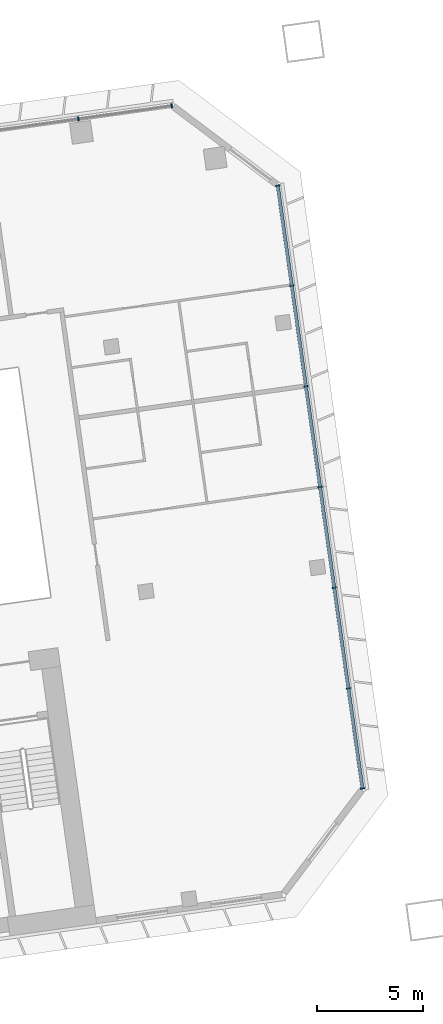
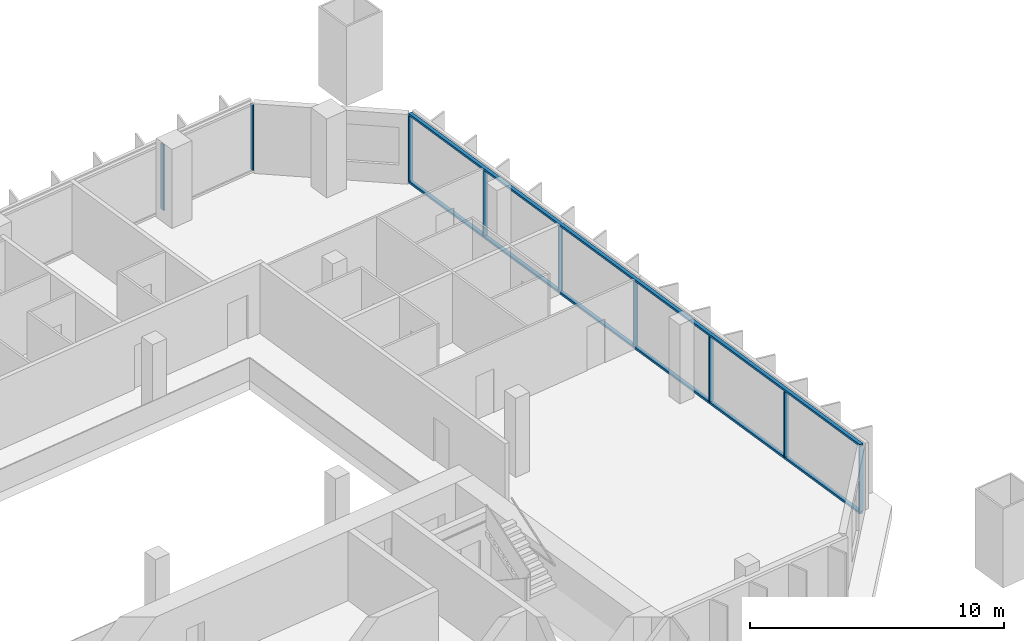
# One storey, part 11 of 25: 11 members, 2 elements without a shape of their own.
"""IFC4 building model written with IfcOpenShell, lengths in metres."""

from ifc_helpers import new_model, si_unit, direction, frame, origin, origin_2d, place, context, subcontext, project, spatial, rectangle, extrude, material, material_profile, profile_set, type_object, element, aggregate, save


model = new_model("IFC4")

# Units and contexts
model_context = context("Model", 3, precision=1e-05, world=origin(), true_north=direction((0.0, 1.0)))
body_context = subcontext(model_context, "Body", "Model", "MODEL_VIEW")
ifc_project = project(units=[si_unit("LENGTHUNIT", "METRE"), si_unit("AREAUNIT", "SQUARE_METRE"), si_unit("VOLUMEUNIT", "CUBIC_METRE"), si_unit("PLANEANGLEUNIT", "RADIAN"), si_unit("MASSUNIT", "GRAM", prefix="KILO")], contexts=[model_context])

# Site, building, storey
site_placement = place(None, origin())
site = spatial("IfcSite", under=ifc_project, at=site_placement, CompositionType="ELEMENT")
building_placement = place(site_placement, origin())
building = spatial("IfcBuilding", under=site, at=building_placement, Name="Mirante Cascada Hotel Towers", CompositionType="ELEMENT")
storey_placement = place(building_placement, frame((0.0, 0.0, 54.7)))
storey = spatial("IfcBuildingStorey", under=building, at=storey_placement, Name="L10", CompositionType="ELEMENT", Elevation=54.7)

# Curtain wall, members
ifc_material_1 = material(Name="Aluminium mullion and transom frame with clear laminated glass", Category="aluminium")
curtain_wall_type_1 = type_object("IfcCurtainWallType", Name="Ribbon curtain wall ECW1", PredefinedType="NOTDEFINED", material=ifc_material_1)
curtain_wall_1_placement = place(storey_placement, origin())
curtain_wall_1 = element("IfcCurtainWall", 1, at=curtain_wall_1_placement, inside=storey, type_object=curtain_wall_type_1, Name="Front ribbon wall T2 L10", PredefinedType="NOTDEFINED")
ifc_material_2 = material(Name="Anodised aluminium extrusion", Category="aluminium")
ifc_material_profile_1 = material_profile(ifc_material_2, rectangle(XDim=0.2, YDim=0.065, at=origin_2d()), Name="ECW1 MULLION 65x200")
ifc_profile_set_1 = profile_set([ifc_material_profile_1], Name="Anodised aluminium extrusion")
member_type_1 = type_object("IfcMemberType", Name="ECW1 mullion 65x200", PredefinedType="MULLION", material=ifc_profile_set_1)
member_1_placement = place(storey_placement, frame((94.126, 26.0476, 0.1), z_axis=(0.0, 0.0, 1.0), x_axis=(0.1391731, -0.9902681, 0.0)))
member_1 = element("IfcMember", 2, at=member_1_placement, type_object=member_type_1, Name="ECW1 mullion 1", PredefinedType="MULLION", context=body_context, shape_type="SweptSolid", body=[
    extrude(rectangle(XDim=0.2, YDim=0.065, at=origin_2d()), origin(), (0.0, 0.0, 1.0), 3.15),
])
member_2_placement = place(storey_placement, frame((89.7107, 25.427, 0.1), z_axis=(0.0, 0.0, 1.0), x_axis=(0.1391731, -0.9902681, 0.0)))
member_2 = element("IfcMember", 3, at=member_2_placement, type_object=member_type_1, Name="ECW1 mullion 2", PredefinedType="MULLION", context=body_context, shape_type="SweptSolid", body=[
    extrude(rectangle(XDim=0.2, YDim=0.065, at=origin_2d()), origin(), (0.0, 0.0, 1.0), 3.15),
])
aggregate(curtain_wall_1, [member_1, member_2])

ifc_material_3 = material(Name="Aluminium mullion and transom frame with clear laminated glass", Category="aluminium")
curtain_wall_type_2 = type_object("IfcCurtainWallType", Name="End ribbon curtain wall ECW2", PredefinedType="NOTDEFINED", material=ifc_material_3)
curtain_wall_2_placement = place(storey_placement, origin())
curtain_wall_2 = element("IfcCurtainWall", 4, at=curtain_wall_2_placement, inside=storey, type_object=curtain_wall_type_2, Name="Outer end wall T2 L10", PredefinedType="NOTDEFINED")
ifc_material_4 = material(Name="Anodised aluminium extrusion", Category="aluminium")
ifc_material_profile_2 = material_profile(ifc_material_4, rectangle(XDim=0.2, YDim=0.065, at=origin_2d()), Name="ECW2 MULLION 65x200")
ifc_profile_set_2 = profile_set([ifc_material_profile_2], Name="Anodised aluminium extrusion")
member_type_2 = type_object("IfcMemberType", Name="ECW2 mullion 65x200", PredefinedType="MULLION", material=ifc_profile_set_2)
member_3_placement = place(storey_placement, frame((103.1556, -6.2656, 0.1), z_axis=(0.0, 0.0, 1.0), x_axis=(-0.9902681, -0.1391731, 0.0)))
member_3 = element("IfcMember", 5, at=member_3_placement, type_object=member_type_2, Name="ECW2 mullion 1", PredefinedType="MULLION", context=body_context, shape_type="SweptSolid", body=[
    extrude(rectangle(XDim=0.2, YDim=0.065, at=origin_2d()), origin(), (0.0, 0.0, 1.0), 3.15),
])
member_4_placement = place(storey_placement, frame((102.4903, -1.532, 0.1), z_axis=(0.0, 0.0, 1.0), x_axis=(-0.9902681, -0.1391731, 0.0)))
member_4 = element("IfcMember", 6, at=member_4_placement, type_object=member_type_2, Name="ECW2 mullion 2", PredefinedType="MULLION", context=body_context, shape_type="SweptSolid", body=[
    extrude(rectangle(XDim=0.2, YDim=0.065, at=origin_2d()), origin(), (0.0, 0.0, 1.0), 3.15),
])
member_5_placement = place(storey_placement, frame((101.8205, 3.2338, 0.1), z_axis=(0.0, 0.0, 1.0), x_axis=(-0.9902681, -0.1391731, 0.0)))
member_5 = element("IfcMember", 7, at=member_5_placement, type_object=member_type_2, Name="ECW2 mullion 3", PredefinedType="MULLION", context=body_context, shape_type="SweptSolid", body=[
    extrude(rectangle(XDim=0.2, YDim=0.065, at=origin_2d()), origin(), (0.0, 0.0, 1.0), 3.15),
])
member_6_placement = place(storey_placement, frame((101.1508, 7.9996, 0.1), z_axis=(0.0, 0.0, 1.0), x_axis=(-0.9902681, -0.1391731, 0.0)))
member_6 = element("IfcMember", 8, at=member_6_placement, type_object=member_type_2, Name="ECW2 mullion 4", PredefinedType="MULLION", context=body_context, shape_type="SweptSolid", body=[
    extrude(rectangle(XDim=0.2, YDim=0.065, at=origin_2d()), origin(), (0.0, 0.0, 1.0), 3.15),
])
member_7_placement = place(storey_placement, frame((100.481, 12.7654, 0.1), z_axis=(0.0, 0.0, 1.0), x_axis=(-0.9902681, -0.1391731, 0.0)))
member_7 = element("IfcMember", 9, at=member_7_placement, type_object=member_type_2, Name="ECW2 mullion 5", PredefinedType="MULLION", context=body_context, shape_type="SweptSolid", body=[
    extrude(rectangle(XDim=0.2, YDim=0.065, at=origin_2d()), origin(), (0.0, 0.0, 1.0), 3.15),
])
member_8_placement = place(storey_placement, frame((99.8112, 17.5312, 0.1), z_axis=(0.0, 0.0, 1.0), x_axis=(-0.9902681, -0.1391731, 0.0)))
member_8 = element("IfcMember", 10, at=member_8_placement, type_object=member_type_2, Name="ECW2 mullion 6", PredefinedType="MULLION", context=body_context, shape_type="SweptSolid", body=[
    extrude(rectangle(XDim=0.2, YDim=0.065, at=origin_2d()), origin(), (0.0, 0.0, 1.0), 3.15),
])
member_9_placement = place(storey_placement, frame((99.1459, 22.2648, 0.1), z_axis=(0.0, 0.0, 1.0), x_axis=(-0.9902681, -0.1391731, 0.0)))
member_9 = element("IfcMember", 11, at=member_9_placement, type_object=member_type_2, Name="ECW2 mullion 7", PredefinedType="MULLION", context=body_context, shape_type="SweptSolid", body=[
    extrude(rectangle(XDim=0.2, YDim=0.065, at=origin_2d()), origin(), (0.0, 0.0, 1.0), 3.15),
])
ifc_material_5 = material(Name="Anodised aluminium extrusion", Category="aluminium")
ifc_material_profile_3 = material_profile(ifc_material_5, rectangle(XDim=0.16, YDim=0.1, at=origin_2d()), Name="ECW2 TRANSOM 100x160")
ifc_profile_set_3 = profile_set([ifc_material_profile_3], Name="Anodised aluminium extrusion")
member_type_3 = type_object("IfcMemberType", Name="ECW2 transom 100x160", PredefinedType="USERDEFINED", material=ifc_profile_set_3)
member_10_placement = place(storey_placement, frame((103.1601, -6.2978, 0.05), z_axis=(-0.1391723, 0.9902682, 0.0), x_axis=(-0.9902682, -0.1391723, 0.0)))
member_10 = element("IfcMember", 12, at=member_10_placement, type_object=member_type_3, Name="ECW2 sill transom", ObjectType="TRANSOM", PredefinedType="USERDEFINED", context=body_context, shape_type="SweptSolid", body=[
    extrude(rectangle(XDim=0.16, YDim=0.1, at=origin_2d()), origin(), (0.0, 0.0, 1.0), 28.8757),
])
member_11_placement = place(storey_placement, frame((103.1601, -6.2978, 3.3), z_axis=(-0.1391723, 0.9902682, 0.0), x_axis=(-0.9902682, -0.1391723, 0.0)))
member_11 = element("IfcMember", 13, at=member_11_placement, type_object=member_type_3, Name="ECW2 head transom", ObjectType="TRANSOM", PredefinedType="USERDEFINED", context=body_context, shape_type="SweptSolid", body=[
    extrude(rectangle(XDim=0.16, YDim=0.1, at=origin_2d()), origin(), (0.0, 0.0, 1.0), 28.8757),
])
aggregate(curtain_wall_2, [member_10, member_11, member_3, member_4, member_5, member_6, member_7, member_8, member_9])

save(model, "model.ifc")
